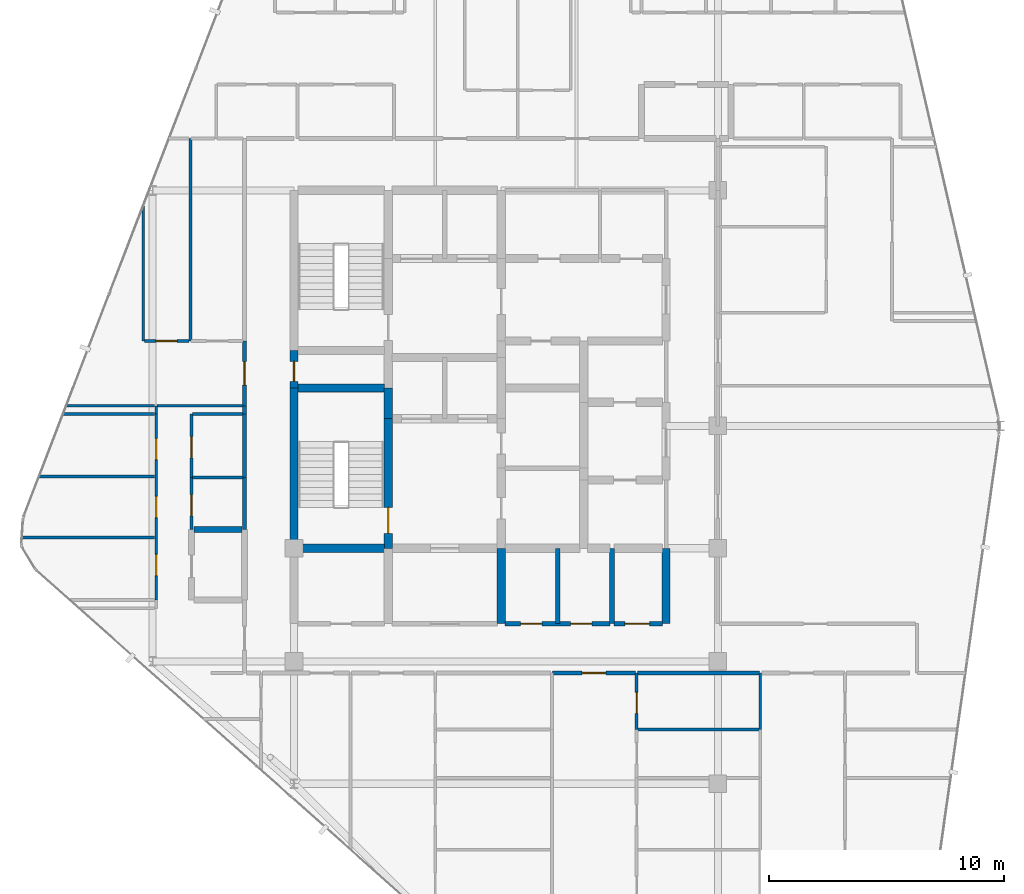
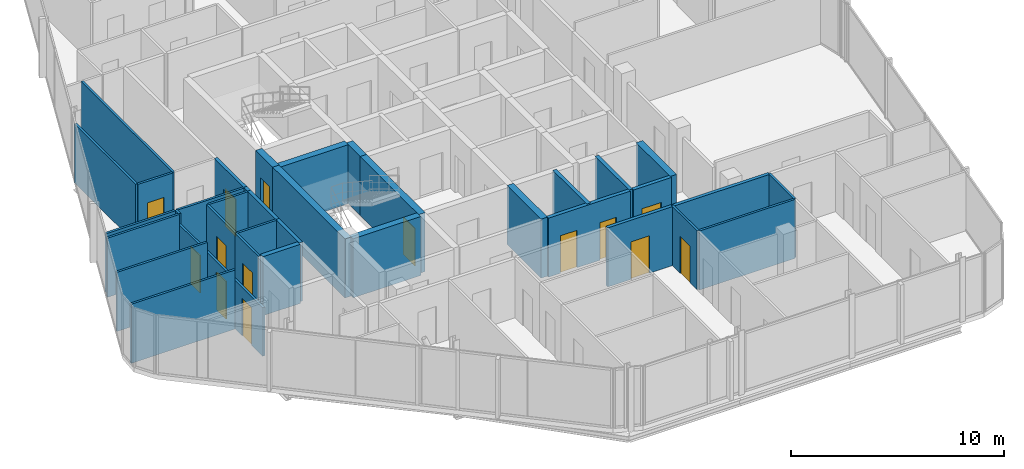
# One storey, part 23 of 28: 36 walls, 14 doors, 14 openings.
"""IFC4 building model written with IfcOpenShell, lengths in metres."""

from ifc_helpers import new_model, si_unit, direction, frame, frame_2d, origin, place, context, subcontext, project, spatial, rectangle, extrude, material, layer, layer_set, type_object, element, fill, save


model = new_model("IFC4")

# Units and contexts
model_context = context("Model", 3, precision=1e-05, world=origin(), true_north=direction((0.0, 1.0)))
body_context = subcontext(model_context, "Body", "Model", "MODEL_VIEW")
ifc_project = project(units=[si_unit("LENGTHUNIT", "METRE"), si_unit("AREAUNIT", "SQUARE_METRE"), si_unit("VOLUMEUNIT", "CUBIC_METRE"), si_unit("PLANEANGLEUNIT", "RADIAN"), si_unit("MASSUNIT", "GRAM", prefix="KILO")], contexts=[model_context])

# Site, building, storey
site_placement = place(None, origin())
site = spatial("IfcSite", under=ifc_project, at=site_placement, CompositionType="ELEMENT")
building_placement = place(site_placement, origin())
building = spatial("IfcBuilding", under=site, at=building_placement, Name="Keshet Zoharim Tower", CompositionType="ELEMENT")
storey_placement = place(building_placement, frame((0.0, 0.0, 251.0)))
storey = spatial("IfcBuildingStorey", under=building, at=storey_placement, Name="L62", CompositionType="ELEMENT", Elevation=251.0)

# Wall
ifc_material_1 = material(Name="Concrete C60/75", Category="concrete")
ifc_layer_1 = layer(ifc_material_1, 0.35009765625)
ifc_layer_set_1 = layer_set([ifc_layer_1], Name="Concrete C60/75")
wall_type_1 = type_object("IfcWallType", Name="WL-CORE-350", PredefinedType="SHEAR", material=ifc_layer_set_1)
wall_1_placement = place(storey_placement, frame((15.0, 22.699951171875, 0.0), z_axis=(0.0, 0.0, 1.0), x_axis=(0.0, 1.0, 0.0)))
element("IfcWall", 1, at=wall_1_placement, inside=storey, type_object=wall_type_1, Name="L62 Core Shear Wall 021", PredefinedType="SHEAR", context=body_context, shape_type="SweptSolid", body=[
    extrude(rectangle(XDim=6.800048828125, YDim=0.35009765625, at=frame_2d((3.39990234375, 0.0))), origin(), (0.0, 0.0, 1.0), 3.389892578125),
])

# Wall, opening, door
wall_2_placement = place(storey_placement, frame((15.0, 29.5, 0.0), z_axis=(0.0, 0.0, 1.0), x_axis=(0.0, 1.0, 0.0)))
wall_2 = element("IfcWall", 2, at=wall_2_placement, inside=storey, type_object=wall_type_1, Name="L62 Core Shear Wall 022", PredefinedType="SHEAR", context=body_context, shape_type="SweptSolid", body=[
    extrude(rectangle(XDim=1.60009765625, YDim=0.35009765625, at=frame_2d((0.800048828125, 0.0))), origin(), (0.0, 0.0, 1.0), 3.389892578125),
])
opening_1_placement = place(wall_2_placement, frame((0.287109375, 0.0, 0.0)))
opening_1 = element("IfcOpeningElement", 3, at=opening_1_placement, cuts=wall_2, Name="Opening D-RS85", PredefinedType="OPENING", context=body_context, shape_type="SweptSolid", body=[
    extrude(rectangle(XDim=0.85009765625, YDim=2.10009765625, at=frame_2d((0.425048828125, 1.050048828125))), frame((0.0, 0.18505859375, 0.0), z_axis=(0.0, -1.0, 0.0), x_axis=(1.0, 0.0, 0.0)), (0.0, 0.0, 1.0), 0.3701171875),
])
ifc_material_2 = material(Name="Hardwood Timber", Category="wood")
door_type_1 = type_object("IfcDoorType", Name="DR-RIS-085", OperationType="NOTDEFINED", PredefinedType="DOOR", material=ifc_material_2)
door_1_placement = place(opening_1_placement, origin())
door_1 = element("IfcDoor", 4, at=door_1_placement, inside=storey, type_object=door_type_1, Name="L62 Electrical Riser Access Cupboard Door", OperationType="SINGLE_SWING_RIGHT", OverallHeight=2.10009765625, OverallWidth=0.85009765625, PredefinedType="DOOR", context=body_context, shape_type="SweptSolid", body=[
    extrude(rectangle(XDim=0.85009765625, YDim=2.10009765625, at=frame_2d((0.425048828125, 1.050048828125))), frame((0.0, 0.02490234375, 0.0), z_axis=(0.0, -1.0, 0.0), x_axis=(1.0, 0.0, 0.0)), (0.0, 0.0, 1.0), 0.050048828125),
])
fill(opening_1, door_1)

wall_3_placement = place(storey_placement, frame((19.0, 22.699951171875, 0.0), z_axis=(0.0, 0.0, 1.0), x_axis=(0.0, 1.0, 0.0)))
wall_3 = element("IfcWall", 5, at=wall_3_placement, inside=storey, type_object=wall_type_1, Name="L62 Core Shear Wall 028", PredefinedType="SHEAR", context=body_context, shape_type="SweptSolid", body=[
    extrude(rectangle(XDim=5.5, YDim=0.35009765625, at=frame_2d((2.75, 0.0))), origin(), (0.0, 0.0, 1.0), 3.389892578125),
])
opening_2_placement = place(wall_3_placement, frame((0.631103515625, 0.0, 0.0)))
opening_2 = element("IfcOpeningElement", 6, at=opening_2_placement, cuts=wall_3, Name="Opening D-F611", PredefinedType="OPENING", context=body_context, shape_type="SweptSolid", body=[
    extrude(rectangle(XDim=1.10009765625, YDim=2.14990234375, at=frame_2d((0.550048828125, 1.074951171875))), frame((0.0, 0.18505859375, 0.0), z_axis=(0.0, -1.0, 0.0), x_axis=(1.0, 0.0, 0.0)), (0.0, 0.0, 1.0), 0.3701171875),
])
door_type_2 = type_object("IfcDoorType", Name="DR-FD60-110", OperationType="NOTDEFINED", PredefinedType="DOOR", material=ifc_material_2)
door_2_placement = place(opening_2_placement, origin())
door_2 = element("IfcDoor", 7, at=door_2_placement, inside=storey, type_object=door_type_2, Name="L62 Exit Stair ST-01 Fire Door", OperationType="SINGLE_SWING_LEFT", OverallHeight=2.14990234375, OverallWidth=1.10009765625, PredefinedType="DOOR", context=body_context, shape_type="SweptSolid", body=[
    extrude(rectangle(XDim=1.10009765625, YDim=2.14990234375, at=frame_2d((0.550048828125, 1.074951171875))), frame((0.0, 0.02490234375, 0.0), z_axis=(0.0, -1.0, 0.0), x_axis=(1.0, 0.0, 0.0)), (0.0, 0.0, 1.0), 0.050048828125),
])
fill(opening_2, door_2)

# Walls
wall_4_placement = place(storey_placement, frame((19.0, 28.199951171875, 0.0), z_axis=(0.0, 0.0, 1.0), x_axis=(0.0, 1.0, 0.0)))
element("IfcWall", 8, at=wall_4_placement, inside=storey, type_object=wall_type_1, Name="L62 Core Shear Wall 029", PredefinedType="SHEAR", context=body_context, shape_type="SweptSolid", body=[
    extrude(rectangle(XDim=1.300048828125, YDim=0.35009765625, at=frame_2d((0.64990234375, 0.0))), origin(), (0.0, 0.0, 1.0), 3.389892578125),
])
for number, where, z_axis, x_axis, name in (
    (9, (23.800048828125, 19.5, 0.0), (0.0, 0.0, 1.0), (0.0, 1.0, 0.0), "L62 Core Shear Wall 041"),
    (10, (30.800048828125, 19.5, 0.0), (0.0, 0.0, 1.0), (0.0, 1.0, 0.0), "L62 Core Shear Wall 067"),
):
    element("IfcWall", number, at=place(storey_placement, frame(where, z_axis=z_axis, x_axis=x_axis)), inside=storey, type_object=wall_type_1, Name=name, PredefinedType="SHEAR", context=body_context, shape_type="SweptSolid", body=[
        extrude(rectangle(XDim=3.199951171875, YDim=0.35009765625, at=frame_2d((1.60009765625, 0.0))), origin(), (0.0, 0.0, 1.0), 3.389892578125),
    ])
for number, where, z_axis, x_axis, name in (
    (11, (15.159912109375, 22.699951171875, 0.0), (0.0, 0.0, 1.0), (1.0, 0.0, 0.0), "L62 Core Shear Wall 123"),
    (12, (15.159912109375, 29.5, 0.0), (0.0, 0.0, 1.0), (1.0, 0.0, 0.0), "L62 Core Shear Wall 140"),
):
    element("IfcWall", number, at=place(storey_placement, frame(where, z_axis=z_axis, x_axis=x_axis)), inside=storey, type_object=wall_type_1, Name=name, PredefinedType="SHEAR", context=body_context, shape_type="SweptSolid", body=[
        extrude(rectangle(XDim=3.68017578125, YDim=0.35009765625, at=frame_2d((1.840087890625, 0.0))), origin(), (0.0, 0.0, 1.0), 3.389892578125),
    ])
ifc_material_3 = material(Name="Gypsum Plasterboard", Category="gypsum")
ifc_layer_2 = layer(ifc_material_3, 0.179931640625)
ifc_layer_set_2 = layer_set([ifc_layer_2], Name="Gypsum Plasterboard")
wall_type_2 = type_object("IfcWallType", Name="WL-CORR-180", PredefinedType="STANDARD", material=ifc_layer_set_2)
wall_5_placement = place(storey_placement, frame((12.89990234375, 23.501953125, 0.0), z_axis=(0.0, 0.0, 1.0), x_axis=(0.0, 1.0, 0.0)))
element("IfcWall", 13, at=wall_5_placement, inside=storey, type_object=wall_type_2, Name="L62 Interior Wall 012", PredefinedType="STANDARD", context=body_context, shape_type="SweptSolid", body=[
    extrude(rectangle(XDim=2.212158203125, YDim=0.179931640625, at=frame_2d((1.10595703125, 0.0))), origin(), (0.0, 0.0, 1.0), 3.389892578125),
])
wall_6_placement = place(storey_placement, frame((12.89990234375, 25.714111328125, 0.0), z_axis=(0.0, 0.0, 1.0), x_axis=(0.0, 1.0, 0.0)))
element("IfcWall", 14, at=wall_6_placement, inside=storey, type_object=wall_type_2, Name="L62 Interior Wall 013", PredefinedType="STANDARD", context=body_context, shape_type="SweptSolid", body=[
    extrude(rectangle(XDim=2.685791015625, YDim=0.179931640625, at=frame_2d((1.3427734375, 0.0))), origin(), (0.0, 0.0, 1.0), 3.389892578125),
])
wall_7_placement = place(storey_placement, frame((12.89990234375, 28.39990234375, 0.0), z_axis=(0.0, 0.0, 1.0), x_axis=(0.0, 1.0, 0.0)))
element("IfcWall", 15, at=wall_7_placement, inside=storey, type_object=wall_type_2, Name="L62 Interior Wall 014", PredefinedType="STANDARD", context=body_context, shape_type="SweptSolid", body=[
    extrude(rectangle(XDim=0.35009765625, YDim=0.179931640625, at=frame_2d((0.175048828125, 0.0))), origin(), (0.0, 0.0, 1.0), 3.389892578125),
])

# Wall, opening, door
wall_8_placement = place(storey_placement, frame((12.89990234375, 28.75, 0.0), z_axis=(0.0, 0.0, 1.0), x_axis=(0.0, 1.0, 0.0)))
wall_8 = element("IfcWall", 16, at=wall_8_placement, inside=storey, type_object=wall_type_2, Name="L62 Interior Wall 015", PredefinedType="STANDARD", context=body_context, shape_type="SweptSolid", body=[
    extrude(rectangle(XDim=2.75, YDim=0.179931640625, at=frame_2d((1.375, 0.0))), origin(), (0.0, 0.0, 1.0), 3.389892578125),
])
opening_3_placement = place(wall_8_placement, frame((0.875, 0.0, 0.0)))
opening_3 = element("IfcOpeningElement", 17, at=opening_3_placement, cuts=wall_8, Name="Opening D-F310", PredefinedType="OPENING", context=body_context, shape_type="SweptSolid", body=[
    extrude(rectangle(XDim=1.0, YDim=2.14990234375, at=frame_2d((0.5, 1.074951171875))), frame((0.0, 0.10009765625, 0.0), z_axis=(0.0, -1.0, 0.0), x_axis=(1.0, 0.0, 0.0)), (0.0, 0.0, 1.0), 0.199951171875),
])
door_type_3 = type_object("IfcDoorType", Name="DR-FD30-100", OperationType="NOTDEFINED", PredefinedType="DOOR", material=ifc_material_2)
door_3_placement = place(opening_3_placement, origin())
door_3 = element("IfcDoor", 18, at=door_3_placement, inside=storey, type_object=door_type_3, Name="Apartment 6208 Entrance Door", OperationType="SINGLE_SWING_LEFT", OverallHeight=2.14990234375, OverallWidth=1.0, PredefinedType="DOOR", context=body_context, shape_type="SweptSolid", body=[
    extrude(rectangle(XDim=1.0, YDim=2.14990234375, at=frame_2d((0.5, 1.074951171875))), frame((0.0, 0.02490234375, 0.0), z_axis=(0.0, -1.0, 0.0), x_axis=(1.0, 0.0, 0.0)), (0.0, 0.0, 1.0), 0.050048828125),
])
fill(opening_3, door_3)

wall_9_placement = place(storey_placement, frame((25.985107421875, 17.39990234375, 0.0), z_axis=(0.0, 0.0, 1.0), x_axis=(1.0, 0.0, 0.0)))
wall_9 = element("IfcWall", 19, at=wall_9_placement, inside=storey, type_object=wall_type_2, Name="L62 Interior Wall 110", PredefinedType="STANDARD", context=body_context, shape_type="SweptSolid", body=[
    extrude(rectangle(XDim=3.510009765625, YDim=0.179931640625, at=frame_2d((1.7548828125, 0.0))), origin(), (0.0, 0.0, 1.0), 3.389892578125),
])
opening_4_placement = place(wall_9_placement, frame((1.2548828125, 0.0, 0.0)))
opening_4 = element("IfcOpeningElement", 20, at=opening_4_placement, cuts=wall_9, Name="Opening D-F310", PredefinedType="OPENING", context=body_context, shape_type="SweptSolid", body=[
    extrude(rectangle(XDim=1.0, YDim=2.14990234375, at=frame_2d((0.5, 1.074951171875))), frame((0.0, 0.10009765625, 0.0), z_axis=(0.0, -1.0, 0.0), x_axis=(1.0, 0.0, 0.0)), (0.0, 0.0, 1.0), 0.199951171875),
])
door_4_placement = place(opening_4_placement, origin())
door_4 = element("IfcDoor", 21, at=door_4_placement, inside=storey, type_object=door_type_3, Name="Apartment 6203 Entrance Door", OperationType="SINGLE_SWING_RIGHT", OverallHeight=2.14990234375, OverallWidth=1.0, PredefinedType="DOOR", context=body_context, shape_type="SweptSolid", body=[
    extrude(rectangle(XDim=1.0, YDim=2.14990234375, at=frame_2d((0.5, 1.074951171875))), frame((0.0, 0.02490234375, 0.0), z_axis=(0.0, -1.0, 0.0), x_axis=(1.0, 0.0, 0.0)), (0.0, 0.0, 1.0), 0.050048828125),
])
fill(opening_4, door_4)

# Walls
wall_10_placement = place(storey_placement, frame((29.5849609375, 17.39990234375, 0.0), z_axis=(0.0, 0.0, 1.0), x_axis=(1.0, 0.0, 0.0)))
element("IfcWall", 22, at=wall_10_placement, inside=storey, type_object=wall_type_2, Name="L62 Interior Wall 111", PredefinedType="STANDARD", context=body_context, shape_type="SweptSolid", body=[
    extrude(rectangle(XDim=5.18994140625, YDim=0.179931640625, at=frame_2d((2.594970703125, 0.0))), origin(), (0.0, 0.0, 1.0), 3.389892578125),
])
ifc_material_4 = material(Name="Concrete C50/60", Category="concrete")
ifc_layer_3 = layer(ifc_material_4, 0.199951171875)
ifc_layer_set_3 = layer_set([ifc_layer_3], Name="Concrete C50/60")
wall_type_3 = type_object("IfcWallType", Name="WL-FIRE-200", PredefinedType="STANDARD", material=ifc_layer_set_3)
for number, where, z_axis, x_axis, name in (
    (23, (26.199951171875, 19.5, 0.0), (0.0, 0.0, 1.0), (0.0, 1.0, 0.0), "L62 Interior Wall 053"),
    (24, (28.5, 19.5, 0.0), (0.0, 0.0, 1.0), (0.0, 1.0, 0.0), "L62 Interior Wall 060"),
):
    element("IfcWall", number, at=place(storey_placement, frame(where, z_axis=z_axis, x_axis=x_axis)), inside=storey, type_object=wall_type_3, Name=name, PredefinedType="STANDARD", context=body_context, shape_type="SweptSolid", body=[
        extrude(rectangle(XDim=3.199951171875, YDim=0.199951171875, at=frame_2d((1.60009765625, 0.0))), origin(), (0.0, 0.0, 1.0), 3.389892578125),
    ])

# Wall, openings, doors
wall_11_placement = place(storey_placement, frame((23.9599609375, 19.5, 0.0), z_axis=(0.0, 0.0, 1.0), x_axis=(1.0, 0.0, 0.0)))
wall_11 = element("IfcWall", 25, at=wall_11_placement, inside=storey, type_object=wall_type_3, Name="L62 Interior Wall 117", PredefinedType="STANDARD", context=body_context, shape_type="SweptSolid", body=[
    extrude(rectangle(XDim=4.455078125, YDim=0.199951171875, at=frame_2d((2.2275390625, 0.0))), origin(), (0.0, 0.0, 1.0), 3.389892578125),
])
opening_5_placement = place(wall_11_placement, frame((0.6650390625, 0.0, 0.0)))
opening_5 = element("IfcOpeningElement", 26, at=opening_5_placement, cuts=wall_11, Name="Opening D-F690", PredefinedType="OPENING", context=body_context, shape_type="SweptSolid", body=[
    extrude(rectangle(XDim=0.89990234375, YDim=2.14990234375, at=frame_2d((0.449951171875, 1.074951171875))), frame((0.0, 0.10986328125, 0.0), z_axis=(0.0, -1.0, 0.0), x_axis=(1.0, 0.0, 0.0)), (0.0, 0.0, 1.0), 0.219970703125),
])
opening_6_placement = place(wall_11_placement, frame((2.791015625, 0.0, 0.0)))
opening_6 = element("IfcOpeningElement", 27, at=opening_6_placement, cuts=wall_11, Name="Opening D-F690", PredefinedType="OPENING", context=body_context, shape_type="SweptSolid", body=[
    extrude(rectangle(XDim=0.89990234375, YDim=2.14990234375, at=frame_2d((0.449951171875, 1.074951171875))), frame((0.0, 0.10986328125, 0.0), z_axis=(0.0, -1.0, 0.0), x_axis=(1.0, 0.0, 0.0)), (0.0, 0.0, 1.0), 0.219970703125),
])
door_type_4 = type_object("IfcDoorType", Name="DR-FD60-090", OperationType="NOTDEFINED", PredefinedType="DOOR", material=ifc_material_2)
door_5_placement = place(opening_5_placement, origin())
door_5 = element("IfcDoor", 28, at=door_5_placement, inside=storey, type_object=door_type_4, Name="L62 Switchgear Room Door", OperationType="SINGLE_SWING_RIGHT", OverallHeight=2.14990234375, OverallWidth=0.89990234375, PredefinedType="DOOR", context=body_context, shape_type="SweptSolid", body=[
    extrude(rectangle(XDim=0.89990234375, YDim=2.14990234375, at=frame_2d((0.449951171875, 1.074951171875))), frame((0.0, 0.02490234375, 0.0), z_axis=(0.0, -1.0, 0.0), x_axis=(1.0, 0.0, 0.0)), (0.0, 0.0, 1.0), 0.050048828125),
])
fill(opening_5, door_5)
door_6_placement = place(opening_6_placement, origin())
door_6 = element("IfcDoor", 29, at=door_6_placement, inside=storey, type_object=door_type_4, Name="L62 Telecom Room Door", OperationType="SINGLE_SWING_LEFT", OverallHeight=2.14990234375, OverallWidth=0.89990234375, PredefinedType="DOOR", context=body_context, shape_type="SweptSolid", body=[
    extrude(rectangle(XDim=0.89990234375, YDim=2.14990234375, at=frame_2d((0.449951171875, 1.074951171875))), frame((0.0, 0.02490234375, 0.0), z_axis=(0.0, -1.0, 0.0), x_axis=(1.0, 0.0, 0.0)), (0.0, 0.0, 1.0), 0.050048828125),
])
fill(opening_6, door_6)

# Wall, opening, door
wall_12_placement = place(storey_placement, frame((28.5849609375, 19.5, 0.0), z_axis=(0.0, 0.0, 1.0), x_axis=(1.0, 0.0, 0.0)))
wall_12 = element("IfcWall", 30, at=wall_12_placement, inside=storey, type_object=wall_type_3, Name="L62 Interior Wall 118", PredefinedType="STANDARD", context=body_context, shape_type="SweptSolid", body=[
    extrude(rectangle(XDim=2.054931640625, YDim=0.199951171875, at=frame_2d((1.02734375, 0.0))), origin(), (0.0, 0.0, 1.0), 3.389892578125),
])
opening_7_placement = place(wall_12_placement, frame((0.466064453125, 0.0, 0.0)))
opening_7 = element("IfcOpeningElement", 31, at=opening_7_placement, cuts=wall_12, Name="Opening D-AC10", PredefinedType="OPENING", context=body_context, shape_type="SweptSolid", body=[
    extrude(rectangle(XDim=1.050048828125, YDim=2.14990234375, at=frame_2d((0.52490234375, 1.074951171875))), frame((0.0, 0.10986328125, 0.0), z_axis=(0.0, -1.0, 0.0), x_axis=(1.0, 0.0, 0.0)), (0.0, 0.0, 1.0), 0.219970703125),
])
door_type_5 = type_object("IfcDoorType", Name="DR-ACC-105", OperationType="NOTDEFINED", PredefinedType="DOOR", material=ifc_material_2)
door_7_placement = place(opening_7_placement, origin())
door_7 = element("IfcDoor", 32, at=door_7_placement, inside=storey, type_object=door_type_5, Name="L62 Accessible WC Door", OperationType="SINGLE_SWING_RIGHT", OverallHeight=2.14990234375, OverallWidth=1.050048828125, PredefinedType="DOOR", context=body_context, shape_type="SweptSolid", body=[
    extrude(rectangle(XDim=1.050048828125, YDim=2.14990234375, at=frame_2d((0.52490234375, 1.074951171875))), frame((0.0, 0.02490234375, 0.0), z_axis=(0.0, -1.0, 0.0), x_axis=(1.0, 0.0, 0.0)), (0.0, 0.0, 1.0), 0.050048828125),
])
fill(opening_7, door_7)

# Walls
ifc_layer_4 = layer(ifc_material_4, 0.25)
ifc_layer_set_4 = layer_set([ifc_layer_4], Name="Concrete C50/60")
wall_type_4 = type_object("IfcWallType", Name="WL-MAMAD-250", PredefinedType="STANDARD", material=ifc_layer_set_4)
wall_13_placement = place(storey_placement, frame((10.760009765625, 23.5, 0.0), z_axis=(0.0, 0.0, 1.0), x_axis=(1.0, 0.0, 0.0)))
element("IfcWall", 33, at=wall_13_placement, inside=storey, type_object=wall_type_4, Name="L62 Interior Wall 129", PredefinedType="STANDARD", context=body_context, shape_type="SweptSolid", body=[
    extrude(rectangle(XDim=2.030029296875, YDim=0.25, at=frame_2d((1.01513671875, 0.0))), origin(), (0.0, 0.0, 1.0), 3.389892578125),
])
ifc_layer_5 = layer(ifc_material_3, 0.1201171875)
ifc_layer_set_5 = layer_set([ifc_layer_5], Name="Gypsum Plasterboard")
wall_type_5 = type_object("IfcWallType", Name="WL-PART-120", PredefinedType="PARTITIONING", material=ifc_layer_set_5)
wall_14_placement = place(storey_placement, frame((8.60009765625, 31.5, 0.0), z_axis=(0.0, 0.0, 1.0), x_axis=(0.0, 1.0, 0.0)))
element("IfcWall", 34, at=wall_14_placement, inside=storey, type_object=wall_type_5, Name="L62 Interior Wall 001", PredefinedType="PARTITIONING", context=body_context, shape_type="SweptSolid", body=[
    extrude(rectangle(XDim=5.75, YDim=0.1201171875, at=frame_2d((2.875, 0.0))), origin(), (0.0, 0.0, 1.0), 3.389892578125),
])

# Wall, openings, doors
wall_15_placement = place(storey_placement, frame((9.14990234375, 20.5, 0.0), z_axis=(0.0, 0.0, 1.0), x_axis=(0.0, 1.0, 0.0)))
wall_15 = element("IfcWall", 35, at=wall_15_placement, inside=storey, type_object=wall_type_5, Name="L62 Interior Wall 003", PredefinedType="PARTITIONING", context=body_context, shape_type="SweptSolid", body=[
    extrude(rectangle(XDim=7.89990234375, YDim=0.1201171875, at=frame_2d((3.949951171875, 0.0))), origin(), (0.0, 0.0, 1.0), 2.7900390625),
])
opening_8_placement = place(wall_15_placement, frame((1.041015625, 0.0, 0.0)))
opening_8 = element("IfcOpeningElement", 36, at=opening_8_placement, cuts=wall_15, Name="Opening D-IN90", PredefinedType="OPENING", context=body_context, shape_type="SweptSolid", body=[
    extrude(rectangle(XDim=0.89990234375, YDim=2.14990234375, at=frame_2d((0.449951171875, 1.074951171875))), frame((0.0, 0.070068359375, 0.0), z_axis=(0.0, -1.0, 0.0), x_axis=(1.0, 0.0, 0.0)), (0.0, 0.0, 1.0), 0.14013671875),
])
opening_9_placement = place(wall_15_placement, frame((3.5, 0.0, 0.0)))
opening_9 = element("IfcOpeningElement", 37, at=opening_9_placement, cuts=wall_15, Name="Opening D-IN90", PredefinedType="OPENING", context=body_context, shape_type="SweptSolid", body=[
    extrude(rectangle(XDim=0.89990234375, YDim=2.14990234375, at=frame_2d((0.449951171875, 1.074951171875))), frame((0.0, 0.070068359375, 0.0), z_axis=(0.0, -1.0, 0.0), x_axis=(1.0, 0.0, 0.0)), (0.0, 0.0, 1.0), 0.14013671875),
])
opening_10_placement = place(wall_15_placement, frame((5.958984375, 0.0, 0.0)))
opening_10 = element("IfcOpeningElement", 38, at=opening_10_placement, cuts=wall_15, Name="Opening D-IN90", PredefinedType="OPENING", context=body_context, shape_type="SweptSolid", body=[
    extrude(rectangle(XDim=0.89990234375, YDim=2.14990234375, at=frame_2d((0.449951171875, 1.074951171875))), frame((0.0, 0.070068359375, 0.0), z_axis=(0.0, -1.0, 0.0), x_axis=(1.0, 0.0, 0.0)), (0.0, 0.0, 1.0), 0.14013671875),
])
door_type_6 = type_object("IfcDoorType", Name="DR-INT-090", OperationType="NOTDEFINED", PredefinedType="DOOR", material=ifc_material_2)
door_8_placement = place(opening_8_placement, origin())
door_8 = element("IfcDoor", 39, at=door_8_placement, inside=storey, type_object=door_type_6, Name="Apartment 6207 Bedroom 1 Door", OperationType="SINGLE_SWING_RIGHT", OverallHeight=2.14990234375, OverallWidth=0.89990234375, PredefinedType="DOOR", context=body_context, shape_type="SweptSolid", body=[
    extrude(rectangle(XDim=0.89990234375, YDim=2.14990234375, at=frame_2d((0.449951171875, 1.074951171875))), frame((0.0, 0.02490234375, 0.0), z_axis=(0.0, -1.0, 0.0), x_axis=(1.0, 0.0, 0.0)), (0.0, 0.0, 1.0), 0.050048828125),
])
fill(opening_8, door_8)
door_9_placement = place(opening_9_placement, origin())
door_9 = element("IfcDoor", 40, at=door_9_placement, inside=storey, type_object=door_type_6, Name="Apartment 6207 Bedroom 2 Door", OperationType="SINGLE_SWING_LEFT", OverallHeight=2.14990234375, OverallWidth=0.89990234375, PredefinedType="DOOR", context=body_context, shape_type="SweptSolid", body=[
    extrude(rectangle(XDim=0.89990234375, YDim=2.14990234375, at=frame_2d((0.449951171875, 1.074951171875))), frame((0.0, 0.02490234375, 0.0), z_axis=(0.0, -1.0, 0.0), x_axis=(1.0, 0.0, 0.0)), (0.0, 0.0, 1.0), 0.050048828125),
])
fill(opening_9, door_9)
door_10_placement = place(opening_10_placement, origin())
door_10 = element("IfcDoor", 41, at=door_10_placement, inside=storey, type_object=door_type_6, Name="Apartment 6207 Bedroom 3 Door", OperationType="SINGLE_SWING_RIGHT", OverallHeight=2.14990234375, OverallWidth=0.89990234375, PredefinedType="DOOR", context=body_context, shape_type="SweptSolid", body=[
    extrude(rectangle(XDim=0.89990234375, YDim=2.14990234375, at=frame_2d((0.449951171875, 1.074951171875))), frame((0.0, 0.02490234375, 0.0), z_axis=(0.0, -1.0, 0.0), x_axis=(1.0, 0.0, 0.0)), (0.0, 0.0, 1.0), 0.050048828125),
])
fill(opening_10, door_10)

# Wall
wall_16_placement = place(storey_placement, frame((9.14990234375, 28.39990234375, 0.0), z_axis=(0.0, 0.0, 1.0), x_axis=(0.0, 1.0, 0.0)))
element("IfcWall", 42, at=wall_16_placement, inside=storey, type_object=wall_type_5, Name="L62 Interior Wall 004", PredefinedType="PARTITIONING", context=body_context, shape_type="SweptSolid", body=[
    extrude(rectangle(XDim=0.35009765625, YDim=0.1201171875, at=frame_2d((0.175048828125, 0.0))), origin(), (0.0, 0.0, 1.0), 3.389892578125),
])

# Wall, opening, door
wall_17_placement = place(storey_placement, frame((10.64990234375, 25.714111328125, 0.0), z_axis=(0.0, 0.0, 1.0), x_axis=(0.0, 1.0, 0.0)))
wall_17 = element("IfcWall", 43, at=wall_17_placement, inside=storey, type_object=wall_type_5, Name="L62 Interior Wall 008", PredefinedType="PARTITIONING", context=body_context, shape_type="SweptSolid", body=[
    extrude(rectangle(XDim=2.685791015625, YDim=0.1201171875, at=frame_2d((1.3427734375, 0.0))), origin(), (0.0, 0.0, 1.0), 3.389892578125),
])
opening_11_placement = place(wall_17_placement, frame((0.822021484375, 0.0, 0.0)))
opening_11 = element("IfcOpeningElement", 44, at=opening_11_placement, cuts=wall_17, Name="Opening D-IN90", PredefinedType="OPENING", context=body_context, shape_type="SweptSolid", body=[
    extrude(rectangle(XDim=0.89990234375, YDim=2.14990234375, at=frame_2d((0.449951171875, 1.074951171875))), frame((0.0, 0.070068359375, 0.0), z_axis=(0.0, -1.0, 0.0), x_axis=(1.0, 0.0, 0.0)), (0.0, 0.0, 1.0), 0.14013671875),
])
door_11_placement = place(opening_11_placement, origin())
door_11 = element("IfcDoor", 45, at=door_11_placement, inside=storey, type_object=door_type_6, Name="Apartment 6207 Kitchen Door", OperationType="SINGLE_SWING_LEFT", OverallHeight=2.14990234375, OverallWidth=0.89990234375, PredefinedType="DOOR", context=body_context, shape_type="SweptSolid", body=[
    extrude(rectangle(XDim=0.89990234375, YDim=2.14990234375, at=frame_2d((0.449951171875, 1.074951171875))), frame((0.0, 0.02490234375, 0.0), z_axis=(0.0, -1.0, 0.0), x_axis=(1.0, 0.0, 0.0)), (0.0, 0.0, 1.0), 0.050048828125),
])
fill(opening_11, door_11)

# Walls
wall_18_placement = place(storey_placement, frame((3.451904296875, 23.14990234375, 0.0), z_axis=(0.0, 0.0, 1.0), x_axis=(1.0, 0.0, 0.0)))
element("IfcWall", 46, at=wall_18_placement, inside=storey, type_object=wall_type_5, Name="L62 Interior Wall 128", PredefinedType="PARTITIONING", context=body_context, shape_type="SweptSolid", body=[
    extrude(rectangle(XDim=5.633056640625, YDim=0.1201171875, at=frame_2d((2.81640625, 0.0))), origin(), (0.0, 0.0, 1.0), 3.389892578125),
])
wall_19_placement = place(storey_placement, frame((4.18310546875, 25.75, 0.0), z_axis=(0.0, 0.0, 1.0), x_axis=(1.0, 0.0, 0.0)))
element("IfcWall", 47, at=wall_19_placement, inside=storey, type_object=wall_type_5, Name="L62 Interior Wall 132", PredefinedType="PARTITIONING", context=body_context, shape_type="SweptSolid", body=[
    extrude(rectangle(XDim=4.90185546875, YDim=0.1201171875, at=frame_2d((2.450927734375, 0.0))), origin(), (0.0, 0.0, 1.0), 3.389892578125),
])
wall_20_placement = place(storey_placement, frame((5.201904296875, 28.39990234375, 0.0), z_axis=(0.0, 0.0, 1.0), x_axis=(1.0, 0.0, 0.0)))
element("IfcWall", 48, at=wall_20_placement, inside=storey, type_object=wall_type_5, Name="L62 Interior Wall 135", PredefinedType="PARTITIONING", context=body_context, shape_type="SweptSolid", body=[
    extrude(rectangle(XDim=3.883056640625, YDim=0.1201171875, at=frame_2d((1.94140625, 0.0))), origin(), (0.0, 0.0, 1.0), 3.389892578125),
])
wall_21_placement = place(storey_placement, frame((10.695068359375, 28.39990234375, 0.0), z_axis=(0.0, 0.0, 1.0), x_axis=(1.0, 0.0, 0.0)))
element("IfcWall", 49, at=wall_21_placement, inside=storey, type_object=wall_type_5, Name="L62 Interior Wall 136", PredefinedType="PARTITIONING", context=body_context, shape_type="SweptSolid", body=[
    extrude(rectangle(XDim=2.1298828125, YDim=0.1201171875, at=frame_2d((1.06494140625, 0.0))), origin(), (0.0, 0.0, 1.0), 3.389892578125),
])
wall_22_placement = place(storey_placement, frame((5.3369140625, 28.75, 0.0), z_axis=(0.0, 0.0, 1.0), x_axis=(1.0, 0.0, 0.0)))
element("IfcWall", 50, at=wall_22_placement, inside=storey, type_object=wall_type_5, Name="L62 Interior Wall 137", PredefinedType="PARTITIONING", context=body_context, shape_type="SweptSolid", body=[
    extrude(rectangle(XDim=3.748046875, YDim=0.1201171875, at=frame_2d((1.8740234375, 0.0))), origin(), (0.0, 0.0, 1.0), 3.389892578125),
])
wall_23_placement = place(storey_placement, frame((9.175048828125, 28.75, 0.0), z_axis=(0.0, 0.0, 1.0), x_axis=(1.0, 0.0, 0.0)))
element("IfcWall", 51, at=wall_23_placement, inside=storey, type_object=wall_type_5, Name="L62 Interior Wall 138", PredefinedType="PARTITIONING", context=body_context, shape_type="SweptSolid", body=[
    extrude(rectangle(XDim=3.64990234375, YDim=0.1201171875, at=frame_2d((1.824951171875, 0.0))), origin(), (0.0, 0.0, 1.0), 3.389892578125),
])

# Wall, opening, door
wall_24_placement = place(storey_placement, frame((8.64501953125, 31.5, 0.0), z_axis=(0.0, 0.0, 1.0), x_axis=(1.0, 0.0, 0.0)))
wall_24 = element("IfcWall", 52, at=wall_24_placement, inside=storey, type_object=wall_type_5, Name="L62 Interior Wall 145", PredefinedType="PARTITIONING", context=body_context, shape_type="SweptSolid", body=[
    extrude(rectangle(XDim=1.887939453125, YDim=0.1201171875, at=frame_2d((0.94384765625, 0.0))), origin(), (0.0, 0.0, 1.0), 3.389892578125),
])
opening_12_placement = place(wall_24_placement, frame((0.493896484375, 0.0, 0.0)))
opening_12 = element("IfcOpeningElement", 53, at=opening_12_placement, cuts=wall_24, Name="Opening D-IN90", PredefinedType="OPENING", context=body_context, shape_type="SweptSolid", body=[
    extrude(rectangle(XDim=0.89990234375, YDim=2.14990234375, at=frame_2d((0.449951171875, 1.074951171875))), frame((0.0, 0.070068359375, 0.0), z_axis=(0.0, -1.0, 0.0), x_axis=(1.0, 0.0, 0.0)), (0.0, 0.0, 1.0), 0.14013671875),
])
door_12_placement = place(opening_12_placement, origin())
door_12 = element("IfcDoor", 54, at=door_12_placement, inside=storey, type_object=door_type_6, Name="Apartment 6208 Kitchen Door", OperationType="SINGLE_SWING_LEFT", OverallHeight=2.14990234375, OverallWidth=0.89990234375, PredefinedType="DOOR", context=body_context, shape_type="SweptSolid", body=[
    extrude(rectangle(XDim=0.89990234375, YDim=2.14990234375, at=frame_2d((0.449951171875, 1.074951171875))), frame((0.0, 0.02490234375, 0.0), z_axis=(0.0, -1.0, 0.0), x_axis=(1.0, 0.0, 0.0)), (0.0, 0.0, 1.0), 0.050048828125),
])
fill(opening_12, door_12)

# Wall
ifc_layer_6 = layer(ifc_material_3, 0.1201171875)
ifc_layer_set_6 = layer_set([ifc_layer_6], Name="Gypsum Plasterboard")
wall_type_6 = type_object("IfcWallType", Name="WL-WET-120", PredefinedType="PARTITIONING", material=ifc_layer_set_6)
wall_25_placement = place(storey_placement, frame((10.60009765625, 31.5, 0.0), z_axis=(0.0, 0.0, 1.0), x_axis=(0.0, 1.0, 0.0)))
element("IfcWall", 55, at=wall_25_placement, inside=storey, type_object=wall_type_6, Name="L62 Interior Wall 005", PredefinedType="PARTITIONING", context=body_context, shape_type="SweptSolid", body=[
    extrude(rectangle(XDim=8.60009765625, YDim=0.1201171875, at=frame_2d((4.300048828125, 0.0))), origin(), (0.0, 0.0, 1.0), 3.389892578125),
])

# Wall, opening, door
wall_26_placement = place(storey_placement, frame((10.64990234375, 23.501953125, 0.0), z_axis=(0.0, 0.0, 1.0), x_axis=(0.0, 1.0, 0.0)))
wall_26 = element("IfcWall", 56, at=wall_26_placement, inside=storey, type_object=wall_type_6, Name="L62 Interior Wall 007", PredefinedType="PARTITIONING", context=body_context, shape_type="SweptSolid", body=[
    extrude(rectangle(XDim=2.212158203125, YDim=0.1201171875, at=frame_2d((1.10595703125, 0.0))), origin(), (0.0, 0.0, 1.0), 3.389892578125),
])
opening_13_placement = place(wall_26_placement, frame((0.577880859375, 0.0, 0.0)))
opening_13 = element("IfcOpeningElement", 57, at=opening_13_placement, cuts=wall_26, Name="Opening D-WT90", PredefinedType="OPENING", context=body_context, shape_type="SweptSolid", body=[
    extrude(rectangle(XDim=0.89990234375, YDim=2.10009765625, at=frame_2d((0.449951171875, 1.050048828125))), frame((0.0, 0.070068359375, 0.0), z_axis=(0.0, -1.0, 0.0), x_axis=(1.0, 0.0, 0.0)), (0.0, 0.0, 1.0), 0.14013671875),
])
door_type_7 = type_object("IfcDoorType", Name="DR-WET-090", OperationType="NOTDEFINED", PredefinedType="DOOR", material=ifc_material_2)
door_13_placement = place(opening_13_placement, origin())
door_13 = element("IfcDoor", 58, at=door_13_placement, inside=storey, type_object=door_type_7, Name="Apartment 6207 Bathroom Door", OperationType="SINGLE_SWING_RIGHT", OverallHeight=2.10009765625, OverallWidth=0.89990234375, PredefinedType="DOOR", context=body_context, shape_type="SweptSolid", body=[
    extrude(rectangle(XDim=0.89990234375, YDim=2.10009765625, at=frame_2d((0.449951171875, 1.050048828125))), frame((0.0, 0.02490234375, 0.0), z_axis=(0.0, -1.0, 0.0), x_axis=(1.0, 0.0, 0.0)), (0.0, 0.0, 1.0), 0.050048828125),
])
fill(opening_13, door_13)

wall_27_placement = place(storey_placement, frame((29.550048828125, 15.008056640625, 0.0), z_axis=(0.0, 0.0, 1.0), x_axis=(0.0, 1.0, 0.0)))
wall_27 = element("IfcWall", 59, at=wall_27_placement, inside=storey, type_object=wall_type_6, Name="L62 Interior Wall 064", PredefinedType="PARTITIONING", context=body_context, shape_type="SweptSolid", body=[
    extrude(rectangle(XDim=2.391845703125, YDim=0.1201171875, at=frame_2d((1.19580078125, 0.0))), origin(), (0.0, 0.0, 1.0), 3.389892578125),
])
opening_14_placement = place(wall_27_placement, frame((0.675048828125, 0.0, 0.0)))
opening_14 = element("IfcOpeningElement", 60, at=opening_14_placement, cuts=wall_27, Name="Opening D-WT90", PredefinedType="OPENING", context=body_context, shape_type="SweptSolid", body=[
    extrude(rectangle(XDim=0.89990234375, YDim=2.10009765625, at=frame_2d((0.449951171875, 1.050048828125))), frame((0.0, 0.070068359375, 0.0), z_axis=(0.0, -1.0, 0.0), x_axis=(1.0, 0.0, 0.0)), (0.0, 0.0, 1.0), 0.14013671875),
])
door_14_placement = place(opening_14_placement, origin())
door_14 = element("IfcDoor", 61, at=door_14_placement, inside=storey, type_object=door_type_7, Name="Apartment 6203 Bathroom Door", OperationType="SINGLE_SWING_LEFT", OverallHeight=2.10009765625, OverallWidth=0.89990234375, PredefinedType="DOOR", context=body_context, shape_type="SweptSolid", body=[
    extrude(rectangle(XDim=0.89990234375, YDim=2.10009765625, at=frame_2d((0.449951171875, 1.050048828125))), frame((0.0, 0.02490234375, 0.0), z_axis=(0.0, -1.0, 0.0), x_axis=(1.0, 0.0, 0.0)), (0.0, 0.0, 1.0), 0.050048828125),
])
fill(opening_14, door_14)

# Walls
wall_28_placement = place(storey_placement, frame((34.800048828125, 15.008056640625, 0.0), z_axis=(0.0, 0.0, 1.0), x_axis=(0.0, 1.0, 0.0)))
element("IfcWall", 62, at=wall_28_placement, inside=storey, type_object=wall_type_6, Name="L62 Interior Wall 082", PredefinedType="PARTITIONING", context=body_context, shape_type="SweptSolid", body=[
    extrude(rectangle(XDim=2.391845703125, YDim=0.1201171875, at=frame_2d((1.19580078125, 0.0))), origin(), (0.0, 0.0, 1.0), 3.389892578125),
])
wall_29_placement = place(storey_placement, frame((29.5849609375, 15.0, 0.0), z_axis=(0.0, 0.0, 1.0), x_axis=(1.0, 0.0, 0.0)))
element("IfcWall", 63, at=wall_29_placement, inside=storey, type_object=wall_type_6, Name="L62 Interior Wall 102", PredefinedType="PARTITIONING", context=body_context, shape_type="SweptSolid", body=[
    extrude(rectangle(XDim=5.18994140625, YDim=0.1201171875, at=frame_2d((2.594970703125, 0.0))), origin(), (0.0, 0.0, 1.0), 3.389892578125),
])
wall_30_placement = place(storey_placement, frame((10.695068359375, 25.699951171875, 0.0), z_axis=(0.0, 0.0, 1.0), x_axis=(1.0, 0.0, 0.0)))
element("IfcWall", 64, at=wall_30_placement, inside=storey, type_object=wall_type_6, Name="L62 Interior Wall 131", PredefinedType="PARTITIONING", context=body_context, shape_type="SweptSolid", body=[
    extrude(rectangle(XDim=2.1298828125, YDim=0.1201171875, at=frame_2d((1.06494140625, 0.0))), origin(), (0.0, 0.0, 1.0), 3.389892578125),
])

save(model, "model.ifc")
